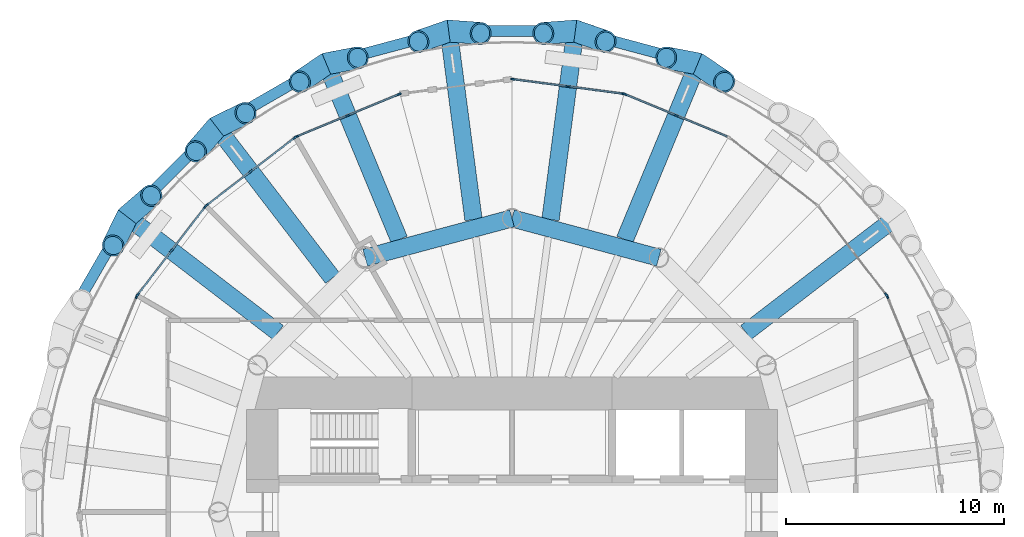
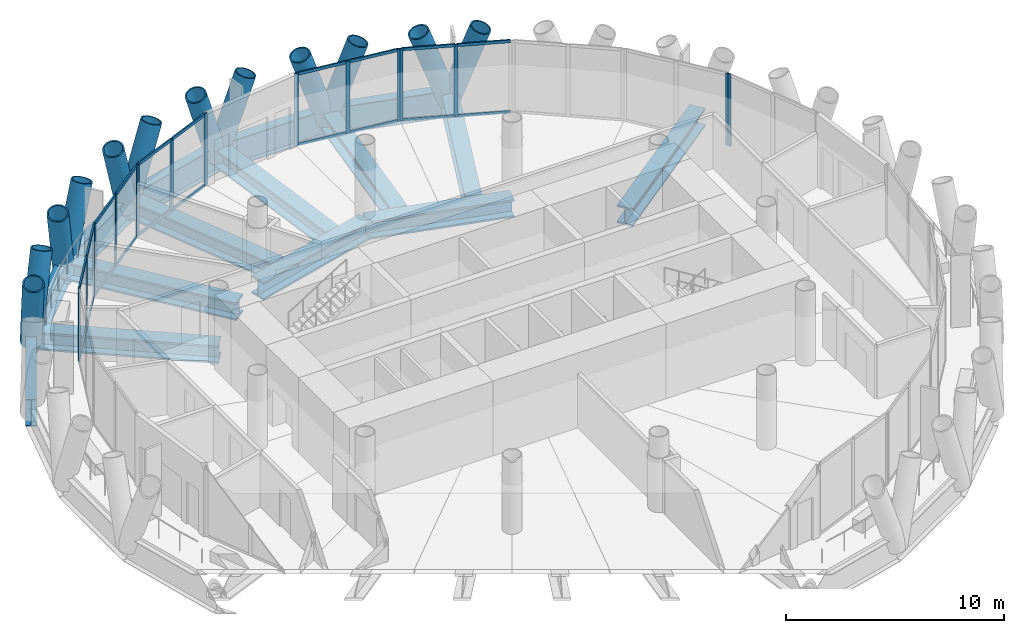
# One storey, part 6 of 16: 49 members, 15 beams, 8 elements without a shape of their own.
"""IFC4 building model written with IfcOpenShell, lengths in metres."""

import ifcopenshell
import ifcopenshell.guid

model = None  # the IFC model being written
_history = None  # IfcOwnerHistory: only IFC2X3 demands one
_inside = {}  # id of a spatial element -> (the spatial element, [elements in it])
_under = {}  # id of a project, library or spatial element -> (it, [spatial elements below it])
_declared = {}  # id of a project -> (the project, [libraries it declares])
_typed = {}  # id of a type object -> (the type object, [elements of that type])
_made_of = {}  # id of a material, layer set ... -> (it, [elements and type objects made of it])


def new_model(schema):
    """Start an empty IFC model of exactly this schema.

    Asked for "IFC4X3", IfcOpenShell would pick the latest addendum, in which some entities
    have other attributes; the version numbers below select the first issue.
    IFC2X3 requires an IfcOwnerHistory on every rooted entity: one is made here for all.
    """
    global model, _history
    if schema == "IFC4X3":
        model = ifcopenshell.file(schema_version=(4, 3, 0, 0))
    else:
        model = ifcopenshell.file(schema=schema)
    _inside.clear()
    _under.clear()
    _declared.clear()
    _typed.clear()
    _made_of.clear()
    _history = None
    if model.schema == "IFC2X3":
        org = make("IfcOrganization", Name="unknown")
        user = make(
            "IfcPersonAndOrganization",
            ThePerson=make("IfcPerson", FamilyName="unknown"),
            TheOrganization=org,
        )
        app = make(
            "IfcApplication",
            ApplicationDeveloper=org,
            Version="unknown",
            ApplicationFullName="unknown",
            ApplicationIdentifier="unknown",
        )
        _history = make(
            "IfcOwnerHistory",
            OwningUser=user,
            OwningApplication=app,
            ChangeAction="ADDED",
            CreationDate=0,
        )
    return model


def make(cls, **values):
    """One entity of the class cls with the attributes given. An attribute that is None is left unset."""
    return model.create_entity(
        cls, **{name: value for name, value in values.items() if value is not None}
    )


def rooted(cls, **values):
    """An entity with a GlobalId (a new one), such as an element, a storey or a relation."""
    return make(cls, GlobalId=ifcopenshell.guid.new(), OwnerHistory=_history, **values)


def si_unit(unit_type, name, prefix=None):
    """IfcSIUnit, for example si_unit("LENGTHUNIT", "METRE", prefix="MILLI")."""
    return make("IfcSIUnit", UnitType=unit_type, Prefix=prefix, Name=name)


def assignment(units):
    """IfcUnitAssignment: the units of a project."""
    return None if units is None else make("IfcUnitAssignment", Units=units)


def point(xyz):
    """IfcCartesianPoint."""
    return None if xyz is None else make("IfcCartesianPoint", Coordinates=xyz)


def direction(xyz):
    """IfcDirection."""
    return None if xyz is None else make("IfcDirection", DirectionRatios=xyz)


def frame(location, z_axis=None, x_axis=None):
    """IfcAxis2Placement3D, a coordinate frame: its origin and axes. An axis left out is left unset."""
    return make(
        "IfcAxis2Placement3D",
        Location=point(location),
        Axis=direction(z_axis),
        RefDirection=direction(x_axis),
    )


def frame_2d(location, x_axis=None):
    """IfcAxis2Placement2D, a coordinate frame in the plane: its origin and x axis."""
    return make(
        "IfcAxis2Placement2D", Location=point(location), RefDirection=direction(x_axis)
    )


def origin():
    """The frame at (0, 0, 0) with its axes left unset."""
    return frame((0.0, 0.0, 0.0))


def origin_2d():
    """The frame at (0, 0) in the plane with its x axis left unset."""
    return frame_2d((0.0, 0.0))


def place(relative_to, where):
    """IfcLocalPlacement: puts the frame where relative to a parent placement (None: the world)."""
    return make(
        "IfcLocalPlacement", PlacementRelTo=relative_to, RelativePlacement=where
    )


def context(
    kind, dimensions, precision=None, world=None, true_north=None, identifier=None
):
    """IfcGeometricRepresentationContext, for example the 3D "Model" context."""
    return make(
        "IfcGeometricRepresentationContext",
        ContextIdentifier=identifier,
        ContextType=kind,
        CoordinateSpaceDimension=dimensions,
        Precision=precision,
        WorldCoordinateSystem=world,
        TrueNorth=true_north,
    )


def subcontext(parent, identifier, kind, view, scale=None):
    """IfcGeometricRepresentationSubContext, for example "Body" below "Model"."""
    return make(
        "IfcGeometricRepresentationSubContext",
        ContextIdentifier=identifier,
        ContextType=kind,
        ParentContext=parent,
        TargetScale=scale,
        TargetView=view,
    )


def project(units=None, contexts=None):
    """IfcProject with its units and contexts."""
    return rooted(
        "IfcProject",
        Name="project",
        RepresentationContexts=contexts,
        UnitsInContext=assignment(units),
    )


def spatial(cls, under=None, at=None, **own):
    """A site, building, storey or space (cls), placed at a placement, below another one or the project."""
    s = rooted(cls, ObjectPlacement=at, **own)
    if under is not None:
        _under.setdefault(under.id(), (under, []))[1].append(s)
    return s


def profile(cls, at=None, kind="AREA", **sizes):
    """A parametric profile (cls). Its sizes go by their IFC names, for example OverallWidth=200.0."""
    return make(cls, ProfileType=kind, Position=at, **sizes)


def rectangle(**sizes):
    """IfcRectangleProfileDef."""
    return profile("IfcRectangleProfileDef", **sizes)


def hollow_circle(**sizes):
    """IfcCircleHollowProfileDef."""
    return profile("IfcCircleHollowProfileDef", **sizes)


def i_section(**sizes):
    """IfcIShapeProfileDef."""
    return profile("IfcIShapeProfileDef", **sizes)


def extrude(swept, where, along, depth):
    """IfcExtrudedAreaSolid: the profile swept, set in the frame where, extruded along a direction by depth."""
    return make(
        "IfcExtrudedAreaSolid",
        SweptArea=swept,
        Position=where,
        ExtrudedDirection=direction(along),
        Depth=depth,
    )


def shape(context_of_items, identifier, shape_type, items):
    """IfcShapeRepresentation: the items that make up one representation, for example the "Body"."""
    return make(
        "IfcShapeRepresentation",
        ContextOfItems=context_of_items,
        RepresentationIdentifier=identifier,
        RepresentationType=shape_type,
        Items=items,
    )


def material(Name=None, Category=None):
    """IfcMaterial."""
    return make("IfcMaterial", Name=Name, Category=Category)


def material_profile(
    of_material, cross_section, Name=None, Category=None, Priority=None
):
    """IfcMaterialProfile: a cross section and its material."""
    return make(
        "IfcMaterialProfile",
        Name=Name,
        Material=of_material,
        Profile=cross_section,
        Priority=Priority,
        Category=Category,
    )


def profile_set(profiles, Name=None, composite=None):
    """IfcMaterialProfileSet."""
    return make(
        "IfcMaterialProfileSet",
        Name=Name,
        MaterialProfiles=profiles,
        CompositeProfile=composite,
    )


def made_of(thing, what):
    """Note that an element or type object is made of a material, layer set ...; save() writes the relation."""
    if what is not None:
        _made_of.setdefault(what.id(), (what, []))[1].append(thing)
    return thing


def type_object(cls, material=None, **own):
    """A type object (cls), such as IfcWallType, which elements share."""
    return made_of(rooted(cls, **own), material)


def element(
    cls,
    number,
    at=None,
    inside=None,
    cuts=None,
    type_object=None,
    material=None,
    context=None,
    identifier="Body",
    shape_type=None,
    held_by="IfcProductDefinitionShape",
    body=None,
    shapes=None,
    **own,
):
    """One element of the class cls, such as IfcWall. Its Tag is "e" and its number.

    at: its placement. inside: the storey or other place that contains it. cuts: it is an
    opening in that element (IfcRelVoidsElement). A single representation is given by context,
    identifier, shape_type and body (its items); several are given by shapes. held_by: the class
    of the entity that holds the representations. save() writes the other relations.
    """
    e = rooted(cls, Tag="e%d" % number, ObjectPlacement=at, **own)
    if body is not None:
        shapes = [shape(context, identifier, shape_type, body)]
    if shapes is not None:
        e.Representation = make(held_by, Representations=shapes)
    if inside is not None:
        _inside.setdefault(inside.id(), (inside, []))[1].append(e)
    if cuts is not None:
        rooted(
            "IfcRelVoidsElement", RelatingBuildingElement=cuts, RelatedOpeningElement=e
        )
    if type_object is not None:
        _typed.setdefault(type_object.id(), (type_object, []))[1].append(e)
    return made_of(e, material)


def aggregate(whole, parts):
    """IfcRelAggregates: a whole, such as a stair, and the parts it consists of."""
    return rooted("IfcRelAggregates", RelatingObject=whole, RelatedObjects=parts)


def save(model, path):
    """Write the relations noted so far, then the file.

    IfcRelAggregates (storeys below a building ...), IfcRelContainedInSpatialStructure (elements
    in a storey), IfcRelDefinesByType, IfcRelAssociatesMaterial and IfcRelDeclares: one each for
    every whole, place, type object, material and project.
    """
    for whole, parts in _under.values():
        aggregate(whole, parts)
    for where, things in _inside.values():
        rooted(
            "IfcRelContainedInSpatialStructure",
            RelatedElements=things,
            RelatingStructure=where,
        )
    for kind, things in _typed.values():
        rooted("IfcRelDefinesByType", RelatedObjects=things, RelatingType=kind)
    for what, things in _made_of.values():
        rooted("IfcRelAssociatesMaterial", RelatedObjects=things, RelatingMaterial=what)
    for by, libraries in _declared.values():
        rooted("IfcRelDeclares", RelatingContext=by, RelatedDefinitions=libraries)
    model.write(path)


model = new_model("IFC4")

# Units and contexts
model_context = context("Model", 3, precision=1e-05, world=origin(), true_north=direction((0.0, 1.0)))
body_context = subcontext(model_context, "Body", "Model", "MODEL_VIEW")
ifc_project = project(units=[si_unit("LENGTHUNIT", "METRE"), si_unit("AREAUNIT", "SQUARE_METRE"), si_unit("VOLUMEUNIT", "CUBIC_METRE"), si_unit("PLANEANGLEUNIT", "RADIAN"), si_unit("MASSUNIT", "GRAM", prefix="KILO")], contexts=[model_context])

# Site, building, storey
site_placement = place(None, origin())
site = spatial("IfcSite", under=ifc_project, at=site_placement, CompositionType="ELEMENT")
building_placement = place(site_placement, origin())
building = spatial("IfcBuilding", under=site, at=building_placement, Name="Qaws Media Tower", CompositionType="ELEMENT")
storey_placement = place(building_placement, frame((0.0, 0.0, 252.800048828125)))
storey = spatial("IfcBuildingStorey", under=building, at=storey_placement, Name="L58", CompositionType="ELEMENT", Elevation=252.800048828125)

# Curtain wall, member
ifc_material_1 = material(Name="Aluminium and clear glass", Category="aluminium")
curtain_wall_type = type_object("IfcCurtainWallType", Name="Unitised curtain wall CW-C", PredefinedType="NOTDEFINED", material=ifc_material_1)
curtain_wall_1_placement = place(storey_placement, origin())
curtain_wall_1 = element("IfcCurtainWall", 1, at=curtain_wall_1_placement, inside=storey, type_object=curtain_wall_type, Name="CWC curtain wall L58-02", PredefinedType="NOTDEFINED")
ifc_material_2 = material(Name="Aluminium mullion", Category="aluminium")
ifc_material_profile_1 = material_profile(ifc_material_2, rectangle(XDim=0.080078125, YDim=0.199951171875, at=origin_2d()), Name="80x200")
ifc_profile_set_1 = profile_set([ifc_material_profile_1], Name="Aluminium mullion")
member_type_1 = type_object("IfcMemberType", Name="Curtain wall mullion 80x200", PredefinedType="MULLION", material=ifc_profile_set_1)
member_1_placement = place(storey_placement, frame((77.249267578125, 59.9130859375, 0.0), z_axis=(0.0, 0.0, 1.0), x_axis=(-0.923879560196, -0.382683365528, 0.0)))
member_1 = element("IfcMember", 2, at=member_1_placement, type_object=member_type_1, Name="CWC mullion 3", PredefinedType="MULLION", context=body_context, shape_type="SweptSolid", body=[
    extrude(rectangle(XDim=0.080078125, YDim=0.199951171875, at=origin_2d()), origin(), (0.0, 0.0, 1.0), 4.0400390625),
])
aggregate(curtain_wall_1, [member_1])

curtain_wall_2_placement = place(storey_placement, origin())
curtain_wall_2 = element("IfcCurtainWall", 3, at=curtain_wall_2_placement, inside=storey, type_object=curtain_wall_type, Name="CWC curtain wall L58-03", PredefinedType="NOTDEFINED")
member_2_placement = place(storey_placement, frame((77.20947265625, 59.981689453125, 0.0), z_axis=(0.0, 0.0, 1.0), x_axis=(-0.793353306026, -0.608761473664, 0.0)))
member_2 = element("IfcMember", 4, at=member_2_placement, type_object=member_type_1, Name="CWC mullion 1", PredefinedType="MULLION", context=body_context, shape_type="SweptSolid", body=[
    extrude(rectangle(XDim=0.080078125, YDim=0.199951171875, at=origin_2d()), origin(), (0.0, 0.0, 1.0), 4.0400390625),
])
aggregate(curtain_wall_2, [member_2])

# Curtain wall, members
curtain_wall_3_placement = place(storey_placement, origin())
curtain_wall_3 = element("IfcCurtainWall", 5, at=curtain_wall_3_placement, inside=storey, type_object=curtain_wall_type, Name="CWC curtain wall L58-05", PredefinedType="NOTDEFINED")
member_3_placement = place(storey_placement, frame((67.55029296875, 68.22802734375, 0.0), z_axis=(0.0, 0.0, 1.0), x_axis=(-0.382683365528, -0.923879560196, 0.0)))
member_3 = element("IfcMember", 6, at=member_3_placement, type_object=member_type_1, Name="CWC mullion 2", PredefinedType="MULLION", context=body_context, shape_type="SweptSolid", body=[
    extrude(rectangle(XDim=0.080078125, YDim=0.199951171875, at=origin_2d()), origin(), (0.0, 0.0, 1.0), 4.0400390625),
])
member_4_placement = place(storey_placement, frame((65.1875, 69.20654296875, 0.0), z_axis=(0.0, 0.0, 1.0), x_axis=(-0.382683365528, -0.923879560196, 0.0)))
member_4 = element("IfcMember", 7, at=member_4_placement, type_object=member_type_1, Name="CWC mullion 3", PredefinedType="MULLION", context=body_context, shape_type="SweptSolid", body=[
    extrude(rectangle(XDim=0.080078125, YDim=0.199951171875, at=origin_2d()), origin(), (0.0, 0.0, 1.0), 4.0400390625),
])

curtain_wall_4_placement = place(storey_placement, origin())
curtain_wall_4 = element("IfcCurtainWall", 8, at=curtain_wall_4_placement, inside=storey, type_object=curtain_wall_type, Name="CWC curtain wall L58-06", PredefinedType="NOTDEFINED")
member_5_placement = place(storey_placement, frame((65.11083984375, 69.22705078125, 0.0), z_axis=(0.0, 0.0, 1.0), x_axis=(-0.130526181405, -0.991444862798, 0.0)))
member_5 = element("IfcMember", 9, at=member_5_placement, type_object=member_type_1, Name="CWC mullion 1", PredefinedType="MULLION", context=body_context, shape_type="SweptSolid", body=[
    extrude(rectangle(XDim=0.080078125, YDim=0.199951171875, at=origin_2d()), origin(), (0.0, 0.0, 1.0), 4.0400390625),
])
member_6_placement = place(storey_placement, frame((62.5751953125, 69.56103515625, 0.0), z_axis=(0.0, 0.0, 1.0), x_axis=(-0.130526181405, -0.991444862798, 0.0)))
member_6 = element("IfcMember", 10, at=member_6_placement, type_object=member_type_1, Name="CWC mullion 2", PredefinedType="MULLION", context=body_context, shape_type="SweptSolid", body=[
    extrude(rectangle(XDim=0.080078125, YDim=0.199951171875, at=origin_2d()), origin(), (0.0, 0.0, 1.0), 4.0400390625),
])
member_7_placement = place(storey_placement, frame((60.03955078125, 69.894775390625, 0.0), z_axis=(0.0, 0.0, 1.0), x_axis=(-0.130526181405, -0.991444862798, 0.0)))
member_7 = element("IfcMember", 11, at=member_7_placement, type_object=member_type_1, Name="CWC mullion 3", PredefinedType="MULLION", context=body_context, shape_type="SweptSolid", body=[
    extrude(rectangle(XDim=0.080078125, YDim=0.199951171875, at=origin_2d()), origin(), (0.0, 0.0, 1.0), 4.0400390625),
])

curtain_wall_5_placement = place(storey_placement, origin())
curtain_wall_5 = element("IfcCurtainWall", 12, at=curtain_wall_5_placement, inside=storey, type_object=curtain_wall_type, Name="CWC curtain wall L58-08", PredefinedType="NOTDEFINED")
member_8_placement = place(storey_placement, frame((54.8125, 69.20654296875, 0.0), z_axis=(0.0, 0.0, 1.0), x_axis=(0.382683365528, -0.923879560196, 0.0)))
member_8 = element("IfcMember", 13, at=member_8_placement, type_object=member_type_1, Name="CWC mullion 1", PredefinedType="MULLION", context=body_context, shape_type="SweptSolid", body=[
    extrude(rectangle(XDim=0.080078125, YDim=0.199951171875, at=origin_2d()), origin(), (0.0, 0.0, 1.0), 4.0400390625),
])
member_9_placement = place(storey_placement, frame((52.44970703125, 68.22802734375, 0.0), z_axis=(0.0, 0.0, 1.0), x_axis=(0.382683365528, -0.923879560196, 0.0)))
member_9 = element("IfcMember", 14, at=member_9_placement, type_object=member_type_1, Name="CWC mullion 2", PredefinedType="MULLION", context=body_context, shape_type="SweptSolid", body=[
    extrude(rectangle(XDim=0.080078125, YDim=0.199951171875, at=origin_2d()), origin(), (0.0, 0.0, 1.0), 4.0400390625),
])
member_10_placement = place(storey_placement, frame((50.0869140625, 67.249267578125, 0.0), z_axis=(0.0, 0.0, 1.0), x_axis=(0.382683365528, -0.923879560196, 0.0)))
member_10 = element("IfcMember", 15, at=member_10_placement, type_object=member_type_1, Name="CWC mullion 3", PredefinedType="MULLION", context=body_context, shape_type="SweptSolid", body=[
    extrude(rectangle(XDim=0.080078125, YDim=0.199951171875, at=origin_2d()), origin(), (0.0, 0.0, 1.0), 4.0400390625),
])

curtain_wall_6_placement = place(storey_placement, origin())
curtain_wall_6 = element("IfcCurtainWall", 16, at=curtain_wall_6_placement, inside=storey, type_object=curtain_wall_type, Name="CWC curtain wall L58-09", PredefinedType="NOTDEFINED")
member_11_placement = place(storey_placement, frame((50.018310546875, 67.20947265625, 0.0), z_axis=(0.0, 0.0, 1.0), x_axis=(0.608761473664, -0.793353306026, 0.0)))
member_11 = element("IfcMember", 17, at=member_11_placement, type_object=member_type_1, Name="CWC mullion 1", PredefinedType="MULLION", context=body_context, shape_type="SweptSolid", body=[
    extrude(rectangle(XDim=0.080078125, YDim=0.199951171875, at=origin_2d()), origin(), (0.0, 0.0, 1.0), 4.0400390625),
])
member_12_placement = place(storey_placement, frame((47.9892578125, 65.652587890625, 0.0), z_axis=(0.0, 0.0, 1.0), x_axis=(0.608761473664, -0.793353306026, 0.0)))
member_12 = element("IfcMember", 18, at=member_12_placement, type_object=member_type_1, Name="CWC mullion 2", PredefinedType="MULLION", context=body_context, shape_type="SweptSolid", body=[
    extrude(rectangle(XDim=0.080078125, YDim=0.199951171875, at=origin_2d()), origin(), (0.0, 0.0, 1.0), 4.0400390625),
])
member_13_placement = place(storey_placement, frame((45.960205078125, 64.095703125, 0.0), z_axis=(0.0, 0.0, 1.0), x_axis=(0.608761473664, -0.793353306026, 0.0)))
member_13 = element("IfcMember", 19, at=member_13_placement, type_object=member_type_1, Name="CWC mullion 3", PredefinedType="MULLION", context=body_context, shape_type="SweptSolid", body=[
    extrude(rectangle(XDim=0.080078125, YDim=0.199951171875, at=origin_2d()), origin(), (0.0, 0.0, 1.0), 4.0400390625),
])

curtain_wall_7_placement = place(storey_placement, origin())
curtain_wall_7 = element("IfcCurtainWall", 20, at=curtain_wall_7_placement, inside=storey, type_object=curtain_wall_type, Name="CWC curtain wall L58-10", PredefinedType="NOTDEFINED")
member_14_placement = place(storey_placement, frame((45.904296875, 64.039794921875, 0.0), z_axis=(0.0, 0.0, 1.0), x_axis=(0.793353306026, -0.608761473664, 0.0)))
member_14 = element("IfcMember", 21, at=member_14_placement, type_object=member_type_1, Name="CWC mullion 1", PredefinedType="MULLION", context=body_context, shape_type="SweptSolid", body=[
    extrude(rectangle(XDim=0.080078125, YDim=0.199951171875, at=origin_2d()), origin(), (0.0, 0.0, 1.0), 4.0400390625),
])
member_15_placement = place(storey_placement, frame((44.347412109375, 62.0107421875, 0.0), z_axis=(0.0, 0.0, 1.0), x_axis=(0.793353306026, -0.608761473664, 0.0)))
member_15 = element("IfcMember", 22, at=member_15_placement, type_object=member_type_1, Name="CWC mullion 2", PredefinedType="MULLION", context=body_context, shape_type="SweptSolid", body=[
    extrude(rectangle(XDim=0.080078125, YDim=0.199951171875, at=origin_2d()), origin(), (0.0, 0.0, 1.0), 4.0400390625),
])
member_16_placement = place(storey_placement, frame((42.79052734375, 59.981689453125, 0.0), z_axis=(0.0, 0.0, 1.0), x_axis=(0.793353306026, -0.608761473664, 0.0)))
member_16 = element("IfcMember", 23, at=member_16_placement, type_object=member_type_1, Name="CWC mullion 3", PredefinedType="MULLION", context=body_context, shape_type="SweptSolid", body=[
    extrude(rectangle(XDim=0.080078125, YDim=0.199951171875, at=origin_2d()), origin(), (0.0, 0.0, 1.0), 4.0400390625),
])

# Curtain wall, member
curtain_wall_8_placement = place(storey_placement, origin())
curtain_wall_8 = element("IfcCurtainWall", 24, at=curtain_wall_8_placement, inside=storey, type_object=curtain_wall_type, Name="CWC curtain wall L58-11", PredefinedType="NOTDEFINED")
member_17_placement = place(storey_placement, frame((42.750732421875, 59.9130859375, 0.0), z_axis=(0.0, 0.0, 1.0), x_axis=(0.923879560196, -0.382683365528, 0.0)))
member_17 = element("IfcMember", 25, at=member_17_placement, type_object=member_type_1, Name="CWC mullion 1", PredefinedType="MULLION", context=body_context, shape_type="SweptSolid", body=[
    extrude(rectangle(XDim=0.080078125, YDim=0.199951171875, at=origin_2d()), origin(), (0.0, 0.0, 1.0), 4.0400390625),
])
aggregate(curtain_wall_8, [member_17])

# Member
ifc_material_3 = material(Name="Aluminium transom", Category="aluminium")
ifc_material_profile_2 = material_profile(ifc_material_3, rectangle(XDim=0.080078125, YDim=0.159912109375, at=origin_2d()), Name="80x160")
ifc_profile_set_2 = profile_set([ifc_material_profile_2], Name="Aluminium transom")
member_type_2 = type_object("IfcMemberType", Name="Curtain wall transom 80x160", PredefinedType="USERDEFINED", material=ifc_profile_set_2)
member_18_placement = place(storey_placement, frame((69.8759765625, 67.264404296875, 0.0400390625), z_axis=(-0.923853474659, 0.382746335528, 0.0), x_axis=(-0.382746335528, -0.923853474659, 0.0)))
member_18 = element("IfcMember", 26, at=member_18_placement, type_object=member_type_2, Name="CWC transom 1.1", ObjectType="TRANSOM", PredefinedType="USERDEFINED", context=body_context, shape_type="SweptSolid", body=[
    extrude(rectangle(XDim=0.080078125, YDim=0.159912109375, at=origin_2d()), origin(), (0.0, 0.0, 1.0), 2.4775390625),
])

member_19_placement = place(storey_placement, frame((69.8759765625, 67.264404296875, 4.0), z_axis=(-0.923853474659, 0.382746335528, 0.0), x_axis=(-0.382746335528, -0.923853474659, 0.0)))
member_19 = element("IfcMember", 27, at=member_19_placement, type_object=member_type_2, Name="CWC transom 1.2", ObjectType="TRANSOM", PredefinedType="USERDEFINED", context=body_context, shape_type="SweptSolid", body=[
    extrude(rectangle(XDim=0.080078125, YDim=0.159912109375, at=origin_2d()), origin(), (0.0, 0.0, 1.0), 2.4775390625),
])

member_20_placement = place(storey_placement, frame((67.51318359375, 68.2431640625, 0.0400390625), z_axis=(-0.923853474659, 0.382746335528, 0.0), x_axis=(-0.382746335528, -0.923853474659, 0.0)))
member_20 = element("IfcMember", 28, at=member_20_placement, type_object=member_type_2, Name="CWC transom 2.1", ObjectType="TRANSOM", PredefinedType="USERDEFINED", context=body_context, shape_type="SweptSolid", body=[
    extrude(rectangle(XDim=0.080078125, YDim=0.159912109375, at=origin_2d()), origin(), (0.0, 0.0, 1.0), 2.4775390625),
])

member_21_placement = place(storey_placement, frame((67.51318359375, 68.2431640625, 4.0), z_axis=(-0.923853474659, 0.382746335528, 0.0), x_axis=(-0.382746335528, -0.923853474659, 0.0)))
member_21 = element("IfcMember", 29, at=member_21_placement, type_object=member_type_2, Name="CWC transom 2.2", ObjectType="TRANSOM", PredefinedType="USERDEFINED", context=body_context, shape_type="SweptSolid", body=[
    extrude(rectangle(XDim=0.080078125, YDim=0.159912109375, at=origin_2d()), origin(), (0.0, 0.0, 1.0), 2.4775390625),
])

aggregate(curtain_wall_3, [member_3, member_4, member_18, member_19, member_20, member_21])

member_22_placement = place(storey_placement, frame((65.0712890625, 69.232421875, 0.0400390625), z_axis=(-0.991451947497, 0.130472356474, 0.0), x_axis=(-0.130472356474, -0.991451947497, 0.0)))
member_22 = element("IfcMember", 30, at=member_22_placement, type_object=member_type_2, Name="CWC transom 1.1", ObjectType="TRANSOM", PredefinedType="USERDEFINED", context=body_context, shape_type="SweptSolid", body=[
    extrude(rectangle(XDim=0.080078125, YDim=0.159912109375, at=origin_2d()), origin(), (0.0, 0.0, 1.0), 2.4775390625),
])

member_23_placement = place(storey_placement, frame((65.0712890625, 69.232421875, 4.0), z_axis=(-0.991451947497, 0.130472356474, 0.0), x_axis=(-0.130472356474, -0.991451947497, 0.0)))
member_23 = element("IfcMember", 31, at=member_23_placement, type_object=member_type_2, Name="CWC transom 1.2", ObjectType="TRANSOM", PredefinedType="USERDEFINED", context=body_context, shape_type="SweptSolid", body=[
    extrude(rectangle(XDim=0.080078125, YDim=0.159912109375, at=origin_2d()), origin(), (0.0, 0.0, 1.0), 2.4775390625),
])

member_24_placement = place(storey_placement, frame((62.53564453125, 69.566162109375, 0.0400390625), z_axis=(-0.991439195556, 0.130569221162, 0.0), x_axis=(-0.130569221162, -0.991439195556, 0.0)))
member_24 = element("IfcMember", 32, at=member_24_placement, type_object=member_type_2, Name="CWC transom 2.1", ObjectType="TRANSOM", PredefinedType="USERDEFINED", context=body_context, shape_type="SweptSolid", body=[
    extrude(rectangle(XDim=0.080078125, YDim=0.159912109375, at=origin_2d()), origin(), (0.0, 0.0, 1.0), 2.4775390625),
])

member_25_placement = place(storey_placement, frame((62.53564453125, 69.566162109375, 4.0), z_axis=(-0.991439195556, 0.130569221162, 0.0), x_axis=(-0.130569221162, -0.991439195556, 0.0)))
member_25 = element("IfcMember", 33, at=member_25_placement, type_object=member_type_2, Name="CWC transom 2.2", ObjectType="TRANSOM", PredefinedType="USERDEFINED", context=body_context, shape_type="SweptSolid", body=[
    extrude(rectangle(XDim=0.080078125, YDim=0.159912109375, at=origin_2d()), origin(), (0.0, 0.0, 1.0), 2.4775390625),
])

aggregate(curtain_wall_4, [member_5, member_6, member_7, member_22, member_23, member_24, member_25])

member_26_placement = place(storey_placement, frame((54.775634765625, 69.19140625, 0.0400390625), z_axis=(-0.923853474659, -0.382746335528, 0.0), x_axis=(0.382746335528, -0.923853474659, 0.0)))
member_26 = element("IfcMember", 34, at=member_26_placement, type_object=member_type_2, Name="CWC transom 1.1", ObjectType="TRANSOM", PredefinedType="USERDEFINED", context=body_context, shape_type="SweptSolid", body=[
    extrude(rectangle(XDim=0.080078125, YDim=0.159912109375, at=origin_2d()), origin(), (0.0, 0.0, 1.0), 2.4775390625),
])

member_27_placement = place(storey_placement, frame((54.775634765625, 69.19140625, 4.0), z_axis=(-0.923853474659, -0.382746335528, 0.0), x_axis=(0.382746335528, -0.923853474659, 0.0)))
member_27 = element("IfcMember", 35, at=member_27_placement, type_object=member_type_2, Name="CWC transom 1.2", ObjectType="TRANSOM", PredefinedType="USERDEFINED", context=body_context, shape_type="SweptSolid", body=[
    extrude(rectangle(XDim=0.080078125, YDim=0.159912109375, at=origin_2d()), origin(), (0.0, 0.0, 1.0), 2.4775390625),
])

member_28_placement = place(storey_placement, frame((52.412841796875, 68.212646484375, 0.0400390625), z_axis=(-0.923853474659, -0.382746335528, 0.0), x_axis=(0.382746335528, -0.923853474659, 0.0)))
member_28 = element("IfcMember", 36, at=member_28_placement, type_object=member_type_2, Name="CWC transom 2.1", ObjectType="TRANSOM", PredefinedType="USERDEFINED", context=body_context, shape_type="SweptSolid", body=[
    extrude(rectangle(XDim=0.080078125, YDim=0.159912109375, at=origin_2d()), origin(), (0.0, 0.0, 1.0), 2.4775390625),
])

member_29_placement = place(storey_placement, frame((52.412841796875, 68.212646484375, 4.0), z_axis=(-0.923853474659, -0.382746335528, 0.0), x_axis=(0.382746335528, -0.923853474659, 0.0)))
member_29 = element("IfcMember", 37, at=member_29_placement, type_object=member_type_2, Name="CWC transom 2.2", ObjectType="TRANSOM", PredefinedType="USERDEFINED", context=body_context, shape_type="SweptSolid", body=[
    extrude(rectangle(XDim=0.080078125, YDim=0.159912109375, at=origin_2d()), origin(), (0.0, 0.0, 1.0), 2.4775390625),
])

aggregate(curtain_wall_5, [member_8, member_9, member_10, member_26, member_27, member_28, member_29])

member_30_placement = place(storey_placement, frame((49.986572265625, 67.185302734375, 0.0400390625), z_axis=(-0.793341422432, -0.608776960351, 0.0), x_axis=(0.608776960351, -0.793341422432, 0.0)))
member_30 = element("IfcMember", 38, at=member_30_placement, type_object=member_type_2, Name="CWC transom 1.1", ObjectType="TRANSOM", PredefinedType="USERDEFINED", context=body_context, shape_type="SweptSolid", body=[
    extrude(rectangle(XDim=0.080078125, YDim=0.159912109375, at=origin_2d()), origin(), (0.0, 0.0, 1.0), 2.4775390625),
])

member_31_placement = place(storey_placement, frame((49.986572265625, 67.185302734375, 4.0), z_axis=(-0.793341422432, -0.608776960351, 0.0), x_axis=(0.608776960351, -0.793341422432, 0.0)))
member_31 = element("IfcMember", 39, at=member_31_placement, type_object=member_type_2, Name="CWC transom 1.2", ObjectType="TRANSOM", PredefinedType="USERDEFINED", context=body_context, shape_type="SweptSolid", body=[
    extrude(rectangle(XDim=0.080078125, YDim=0.159912109375, at=origin_2d()), origin(), (0.0, 0.0, 1.0), 2.4775390625),
])

member_32_placement = place(storey_placement, frame((47.95751953125, 65.62841796875, 0.0400390625), z_axis=(-0.793341422432, -0.608776960351, 0.0), x_axis=(0.608776960351, -0.793341422432, 0.0)))
member_32 = element("IfcMember", 40, at=member_32_placement, type_object=member_type_2, Name="CWC transom 2.1", ObjectType="TRANSOM", PredefinedType="USERDEFINED", context=body_context, shape_type="SweptSolid", body=[
    extrude(rectangle(XDim=0.080078125, YDim=0.159912109375, at=origin_2d()), origin(), (0.0, 0.0, 1.0), 2.4775390625),
])

member_33_placement = place(storey_placement, frame((47.95751953125, 65.62841796875, 4.0), z_axis=(-0.793341422432, -0.608776960351, 0.0), x_axis=(0.608776960351, -0.793341422432, 0.0)))
member_33 = element("IfcMember", 41, at=member_33_placement, type_object=member_type_2, Name="CWC transom 2.2", ObjectType="TRANSOM", PredefinedType="USERDEFINED", context=body_context, shape_type="SweptSolid", body=[
    extrude(rectangle(XDim=0.080078125, YDim=0.159912109375, at=origin_2d()), origin(), (0.0, 0.0, 1.0), 2.4775390625),
])

aggregate(curtain_wall_6, [member_11, member_12, member_13, member_30, member_31, member_32, member_33])

member_34_placement = place(storey_placement, frame((45.8798828125, 64.008056640625, 0.0400390625), z_axis=(-0.608776960351, -0.793341422432, 0.0), x_axis=(0.793341422432, -0.608776960351, 0.0)))
member_34 = element("IfcMember", 42, at=member_34_placement, type_object=member_type_2, Name="CWC transom 1.1", ObjectType="TRANSOM", PredefinedType="USERDEFINED", context=body_context, shape_type="SweptSolid", body=[
    extrude(rectangle(XDim=0.080078125, YDim=0.159912109375, at=origin_2d()), origin(), (0.0, 0.0, 1.0), 2.4775390625),
])

member_35_placement = place(storey_placement, frame((45.8798828125, 64.008056640625, 4.0), z_axis=(-0.608776960351, -0.793341422432, 0.0), x_axis=(0.793341422432, -0.608776960351, 0.0)))
member_35 = element("IfcMember", 43, at=member_35_placement, type_object=member_type_2, Name="CWC transom 1.2", ObjectType="TRANSOM", PredefinedType="USERDEFINED", context=body_context, shape_type="SweptSolid", body=[
    extrude(rectangle(XDim=0.080078125, YDim=0.159912109375, at=origin_2d()), origin(), (0.0, 0.0, 1.0), 2.4775390625),
])

member_36_placement = place(storey_placement, frame((44.322998046875, 61.97900390625, 0.0400390625), z_axis=(-0.608776960351, -0.793341422432, 0.0), x_axis=(0.793341422432, -0.608776960351, 0.0)))
member_36 = element("IfcMember", 44, at=member_36_placement, type_object=member_type_2, Name="CWC transom 2.1", ObjectType="TRANSOM", PredefinedType="USERDEFINED", context=body_context, shape_type="SweptSolid", body=[
    extrude(rectangle(XDim=0.080078125, YDim=0.159912109375, at=origin_2d()), origin(), (0.0, 0.0, 1.0), 2.4775390625),
])

member_37_placement = place(storey_placement, frame((44.322998046875, 61.97900390625, 4.0), z_axis=(-0.608776960351, -0.793341422432, 0.0), x_axis=(0.793341422432, -0.608776960351, 0.0)))
member_37 = element("IfcMember", 45, at=member_37_placement, type_object=member_type_2, Name="CWC transom 2.2", ObjectType="TRANSOM", PredefinedType="USERDEFINED", context=body_context, shape_type="SweptSolid", body=[
    extrude(rectangle(XDim=0.080078125, YDim=0.159912109375, at=origin_2d()), origin(), (0.0, 0.0, 1.0), 2.4775390625),
])

aggregate(curtain_wall_7, [member_14, member_15, member_16, member_34, member_35, member_36, member_37])

# Members
ifc_material_4 = material(Name="Steel S460", Category="steel")
ifc_material_profile_3 = material_profile(ifc_material_4, hollow_circle(Radius=0.508056640625, WallThickness=0.070068359375, at=origin_2d()), Name="CHS 1016x70")
ifc_profile_set_3 = profile_set([ifc_material_profile_3], Name="Steel S460")
member_type_3 = type_object("IfcMemberType", Name="Diagrid member CHS 1016x70", PredefinedType="USERDEFINED", material=ifc_profile_set_3)
member_38_placement = place(storey_placement, frame((68.533935546875, 70.6025390625, -0.91015625), z_axis=(-0.324944687554, 0.062312148052, 0.943677988636), x_axis=(-0.188330858673, -0.982105639772, 0.0)))
element("IfcMember", 46, at=member_38_placement, inside=storey, type_object=member_type_3, Name="DG3 diagrid L58 A05", ObjectType="DIAGRID", PredefinedType="USERDEFINED", context=body_context, shape_type="SweptSolid", body=[
    extrude(hollow_circle(Radius=0.508056640625, WallThickness=0.070068359375, at=origin_2d()), origin(), (0.0, 0.0, 1.0), 4.450927734375),
])
for number, where, z_axis, x_axis, name in (
    (47, (68.533935546875, 70.6025390625, -0.91015625), (0.273774120691, -0.185679302452, 0.943700655653), (0.561302707081, 0.827610579333, 0.0), "DG3 diagrid L58 B05"),
    (48, (62.91064453125, 72.109130859375, -0.91015625), (-0.329943166477, -0.023916079898, 0.943697794857), (0.072295775759, -0.997383236679, 0.0), "DG3 diagrid L58 A06"),
):
    element("IfcMember", number, at=place(storey_placement, frame(where, z_axis=z_axis, x_axis=x_axis)), inside=storey, type_object=member_type_3, Name=name, ObjectType="DIAGRID", PredefinedType="USERDEFINED", context=body_context, shape_type="SweptSolid", body=[
        extrude(hollow_circle(Radius=0.508056640625, WallThickness=0.070068359375, at=origin_2d()), origin(), (0.0, 0.0, 1.0), 4.45068359375),
    ])
for number, where, z_axis, x_axis, name in (
    (49, (62.91064453125, 72.109130859375, -0.91015625), (0.312550236019, -0.10849848488, 0.943684496399), (0.327941819713, 0.944697921498, 0.0), "DG3 diagrid L58 B06"),
    (50, (57.08935546875, 72.109130859375, -0.91015625), (-0.312550236019, -0.10849848488, 0.943684496399), (0.327941819713, -0.944697921498, 0.0), "DG3 diagrid L58 A07"),
):
    element("IfcMember", number, at=place(storey_placement, frame(where, z_axis=z_axis, x_axis=x_axis)), inside=storey, type_object=member_type_3, Name=name, ObjectType="DIAGRID", PredefinedType="USERDEFINED", context=body_context, shape_type="SweptSolid", body=[
        extrude(hollow_circle(Radius=0.508056640625, WallThickness=0.070068359375, at=origin_2d()), origin(), (0.0, 0.0, 1.0), 4.450927734375),
    ])
for number, where, z_axis, x_axis, name in (
    (51, (57.08935546875, 72.109130859375, -0.91015625), (0.329943166477, -0.023916079898, 0.943697794857), (0.072295775759, 0.997383236679, 0.0), "DG3 diagrid L58 B07"),
    (52, (51.466064453125, 70.6025390625, -0.91015625), (-0.273774120691, -0.185679302452, 0.943700655653), (0.561302707081, -0.827610579333, 0.0), "DG3 diagrid L58 A08"),
):
    element("IfcMember", number, at=place(storey_placement, frame(where, z_axis=z_axis, x_axis=x_axis)), inside=storey, type_object=member_type_3, Name=name, ObjectType="DIAGRID", PredefinedType="USERDEFINED", context=body_context, shape_type="SweptSolid", body=[
        extrude(hollow_circle(Radius=0.508056640625, WallThickness=0.070068359375, at=origin_2d()), origin(), (0.0, 0.0, 1.0), 4.45068359375),
    ])
for number, where, z_axis, x_axis, name in (
    (53, (51.466064453125, 70.6025390625, -0.91015625), (0.324944687554, 0.062312148052, 0.943677988636), (-0.188330858673, 0.982105639772, 0.0), "DG3 diagrid L58 B08"),
    (54, (46.424560546875, 67.69189453125, -0.91015625), (-0.216395159738, -0.250239472427, 0.943691337929), (0.756405297848, -0.654103222273, 0.0), "DG3 diagrid L58 A09"),
    (55, (46.424560546875, 67.69189453125, -0.91015625), (0.297739850899, 0.144262308007, 0.943683934204), (-0.436037559006, 0.899928467789, 0.0), "DG3 diagrid L58 B09"),
    (56, (42.30810546875, 63.575439453125, -0.91015625), (-0.144262308007, -0.297739850899, 0.943683934204), (0.899928467789, -0.436037559006, 0.0), "DG3 diagrid L58 A10"),
    (57, (42.30810546875, 63.575439453125, -0.91015625), (0.250239472427, 0.216395159738, 0.943691337929), (-0.654103222273, 0.756405297848, 0.0), "DG3 diagrid L58 B10"),
):
    element("IfcMember", number, at=place(storey_placement, frame(where, z_axis=z_axis, x_axis=x_axis)), inside=storey, type_object=member_type_3, Name=name, ObjectType="DIAGRID", PredefinedType="USERDEFINED", context=body_context, shape_type="SweptSolid", body=[
        extrude(hollow_circle(Radius=0.508056640625, WallThickness=0.070068359375, at=origin_2d()), origin(), (0.0, 0.0, 1.0), 4.450927734375),
    ])

# Beams
ifc_material_5 = material(Name="Steel S460", Category="steel")
ifc_material_profile_4 = material_profile(ifc_material_5, i_section(OverallWidth=0.5, OverallDepth=1.5, WebThickness=0.02001953125, FlangeThickness=0.0400390625, at=origin_2d()), Name="PG 1500x500")
ifc_profile_set_4 = profile_set([ifc_material_profile_4], Name="Steel S460")
beam_type_1 = type_object("IfcBeamType", Name="Edge ring beam PG 1500x500", PredefinedType="BEAM", material=ifc_profile_set_4)
beam_1_placement = place(storey_placement, frame((68.533935546875, 70.6025390625, -0.91015625), z_axis=(-0.96593288967, 0.258792682766, 0.0), x_axis=(-0.258792682766, -0.96593288967, 0.0)))
element("IfcBeam", 58, at=beam_1_placement, inside=storey, type_object=beam_type_1, Name="RB4 edge ring beam L58-05", PredefinedType="BEAM", context=body_context, shape_type="SweptSolid", body=[
    extrude(i_section(OverallWidth=0.5, OverallDepth=1.5, WebThickness=0.02001953125, FlangeThickness=0.0400390625, at=origin_2d()), origin(), (0.0, 0.0, 1.0), 5.821533203125),
])
beam_2_placement = place(storey_placement, frame((62.91064453125, 72.109130859375, -0.91015625), z_axis=(-1.0, 0.0, 0.0), x_axis=(0.0, -1.0, 0.0)))
element("IfcBeam", 59, at=beam_2_placement, inside=storey, type_object=beam_type_1, Name="RB4 edge ring beam L58-06", PredefinedType="BEAM", context=body_context, shape_type="SweptSolid", body=[
    extrude(i_section(OverallWidth=0.5, OverallDepth=1.5, WebThickness=0.02001953125, FlangeThickness=0.0400390625, at=origin_2d()), origin(), (0.0, 0.0, 1.0), 5.8212890625),
])
beam_3_placement = place(storey_placement, frame((57.08935546875, 72.109130859375, -0.91015625), z_axis=(-0.96593288967, -0.258792682766, 0.0), x_axis=(0.258792682766, -0.96593288967, 0.0)))
element("IfcBeam", 60, at=beam_3_placement, inside=storey, type_object=beam_type_1, Name="RB4 edge ring beam L58-07", PredefinedType="BEAM", context=body_context, shape_type="SweptSolid", body=[
    extrude(i_section(OverallWidth=0.5, OverallDepth=1.5, WebThickness=0.02001953125, FlangeThickness=0.0400390625, at=origin_2d()), origin(), (0.0, 0.0, 1.0), 5.821533203125),
])
beam_4_placement = place(storey_placement, frame((51.466064453125, 70.6025390625, -0.91015625), z_axis=(-0.866030544062, -0.499991096673, 0.0), x_axis=(0.499991096673, -0.866030544062, 0.0)))
element("IfcBeam", 61, at=beam_4_placement, inside=storey, type_object=beam_type_1, Name="RB4 edge ring beam L58-08", PredefinedType="BEAM", context=body_context, shape_type="SweptSolid", body=[
    extrude(i_section(OverallWidth=0.5, OverallDepth=1.5, WebThickness=0.02001953125, FlangeThickness=0.0400390625, at=origin_2d()), origin(), (0.0, 0.0, 1.0), 5.8212890625),
])
beam_5_placement = place(storey_placement, frame((46.424560546875, 67.69189453125, -0.91015625), z_axis=(-0.707106781187, -0.707106781187, 0.0), x_axis=(0.707106781187, -0.707106781187, 0.0)))
element("IfcBeam", 62, at=beam_5_placement, inside=storey, type_object=beam_type_1, Name="RB4 edge ring beam L58-09", PredefinedType="BEAM", context=body_context, shape_type="SweptSolid", body=[
    extrude(i_section(OverallWidth=0.5, OverallDepth=1.5, WebThickness=0.02001953125, FlangeThickness=0.0400390625, at=origin_2d()), origin(), (0.0, 0.0, 1.0), 5.821533203125),
])
beam_6_placement = place(storey_placement, frame((42.30810546875, 63.575439453125, -0.91015625), z_axis=(-0.499991096673, -0.866030544062, 0.0), x_axis=(0.866030544062, -0.499991096673, 0.0)))
element("IfcBeam", 63, at=beam_6_placement, inside=storey, type_object=beam_type_1, Name="RB4 edge ring beam L58-10", PredefinedType="BEAM", context=body_context, shape_type="SweptSolid", body=[
    extrude(i_section(OverallWidth=0.5, OverallDepth=1.5, WebThickness=0.02001953125, FlangeThickness=0.0400390625, at=origin_2d()), origin(), (0.0, 0.0, 1.0), 5.8212890625),
])
ifc_material_6 = material(Name="Steel S460", Category="steel")
ifc_material_profile_5 = material_profile(ifc_material_6, i_section(OverallWidth=0.800048828125, OverallDepth=1.0, WebThickness=0.0400390625, FlangeThickness=0.10009765625, at=origin_2d()), Name="PG 1000x800")
ifc_profile_set_5 = profile_set([ifc_material_profile_5], Name="Steel S460")
beam_type_2 = type_object("IfcBeamType", Name="Inner ring girder PG 1000x800", PredefinedType="BEAM", material=ifc_profile_set_5)
for number, where, z_axis, x_axis, name in (
    (64, (66.75, 61.69140625, -0.66015625), (-0.965928090778, 0.258810593767, 0.0), (-0.258810593767, -0.965928090778, 0.0), "B3 inner ring beam L58 I03-I04"),
    (65, (60.0, 63.5, -0.66015625), (-0.965928090778, -0.258810593767, 0.0), (0.258810593767, -0.965928090778, 0.0), "B3 inner ring beam L58 I04-I05"),
):
    element("IfcBeam", number, at=place(storey_placement, frame(where, z_axis=z_axis, x_axis=x_axis)), inside=storey, type_object=beam_type_2, Name=name, PredefinedType="BEAM", context=body_context, shape_type="SweptSolid", body=[
        extrude(i_section(OverallWidth=0.800048828125, OverallDepth=1.0, WebThickness=0.0400390625, FlangeThickness=0.10009765625, at=origin_2d()), origin(), (0.0, 0.0, 1.0), 6.988037109375),
    ])
ifc_material_7 = material(Name="Steel S460", Category="steel")
ifc_material_profile_6 = material_profile(ifc_material_7, i_section(OverallWidth=0.800048828125, OverallDepth=1.0, WebThickness=0.0400390625, FlangeThickness=0.10009765625, at=origin_2d()), Name="PG 1000x800")
ifc_profile_set_6 = profile_set([ifc_material_profile_6], Name="Steel S460")
beam_type_3 = type_object("IfcBeamType", Name="Radial girder PG 1000x800", PredefinedType="BEAM", material=ifc_profile_set_6)
beam_7_placement = place(storey_placement, frame((70.754638671875, 58.25244140625, -0.66015625), z_axis=(0.793361381928, 0.608750948801, 0.0), x_axis=(-0.608750948801, 0.793361381928, 0.0)))
element("IfcBeam", 66, at=beam_7_placement, inside=storey, type_object=beam_type_3, Name="B1 radial beam L58 03", PredefinedType="BEAM", context=body_context, shape_type="SweptSolid", body=[
    extrude(i_section(OverallWidth=0.800048828125, OverallDepth=1.0, WebThickness=0.0400390625, FlangeThickness=0.10009765625, at=origin_2d()), origin(), (0.0, 0.0, 1.0), 8.744140625),
])
for number, where, z_axis, x_axis, name in (
    (67, (65.187744140625, 62.524169921875, -0.66015625), (0.382685516114, 0.923878669392, 0.0), (-0.923878669392, 0.382685516114, 0.0), "B1 radial beam L58 05"),
    (68, (61.769287109375, 63.43994140625, -0.66015625), (0.130530349162, 0.991444314093, 0.0), (-0.991444314093, 0.130530349162, 0.0), "B1 radial beam L58 06"),
    (69, (58.230712890625, 63.43994140625, -0.66015625), (-0.130530349162, 0.991444314093, 0.0), (-0.991444314093, -0.130530349162, 0.0), "B1 radial beam L58 07"),
    (70, (54.812255859375, 62.524169921875, -0.66015625), (-0.382685516114, 0.923878669392, 0.0), (-0.923878669392, -0.382685516114, 0.0), "B1 radial beam L58 08"),
):
    element("IfcBeam", number, at=place(storey_placement, frame(where, z_axis=z_axis, x_axis=x_axis)), inside=storey, type_object=beam_type_3, Name=name, PredefinedType="BEAM", context=body_context, shape_type="SweptSolid", body=[
        extrude(i_section(OverallWidth=0.800048828125, OverallDepth=1.0, WebThickness=0.0400390625, FlangeThickness=0.10009765625, at=origin_2d()), origin(), (0.0, 0.0, 1.0), 8.743896484375),
    ])
for number, where, z_axis, x_axis, name in (
    (71, (51.74755859375, 60.754638671875, -0.66015625), (-0.608750948801, 0.793361381928, 0.0), (-0.793361381928, -0.608750948801, 0.0), "B1 radial beam L58 09"),
    (72, (49.245361328125, 58.25244140625, -0.66015625), (-0.793361381928, 0.608750948801, 0.0), (-0.608750948801, -0.793361381928, 0.0), "B1 radial beam L58 10"),
):
    element("IfcBeam", number, at=place(storey_placement, frame(where, z_axis=z_axis, x_axis=x_axis)), inside=storey, type_object=beam_type_3, Name=name, PredefinedType="BEAM", context=body_context, shape_type="SweptSolid", body=[
        extrude(i_section(OverallWidth=0.800048828125, OverallDepth=1.0, WebThickness=0.0400390625, FlangeThickness=0.10009765625, at=origin_2d()), origin(), (0.0, 0.0, 1.0), 8.744140625),
    ])

save(model, "model.ifc")
